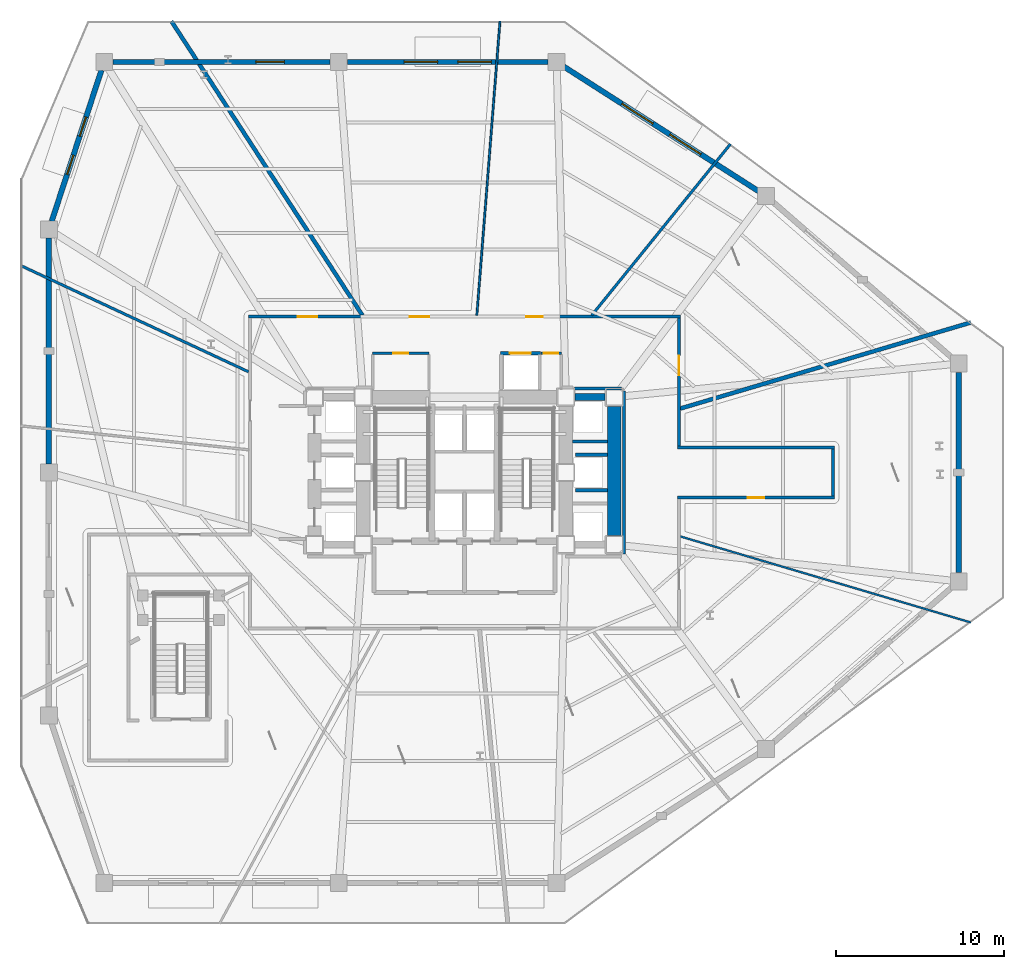
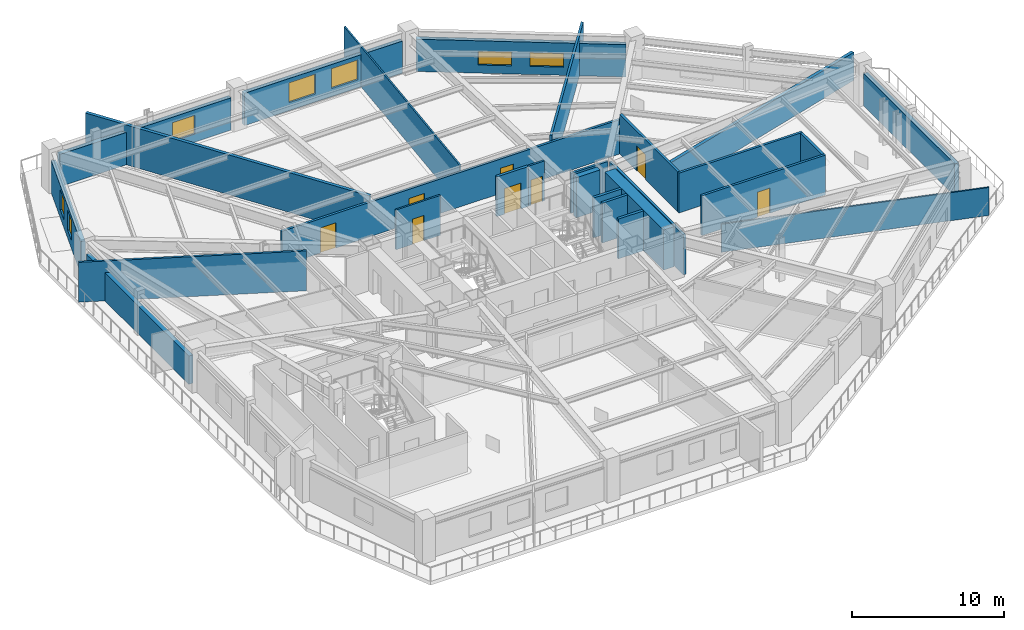
# One storey, part 5 of 10: 27 walls, 8 doors, 7 windows, 15 openings.
"""IFC4 building model written with IfcOpenShell, lengths in metres."""

from ifc_helpers import new_model, si_unit, direction, frame, frame_2d, origin, place, context, subcontext, project, spatial, rectangle, extrude, material, layer, layer_set, type_object, element, fill, save


model = new_model("IFC4")

# Units and contexts
model_context = context("Model", 3, precision=1e-05, world=origin(), true_north=direction((0.0, 1.0)))
body_context = subcontext(model_context, "Body", "Model", "MODEL_VIEW")
ifc_project = project(units=[si_unit("LENGTHUNIT", "METRE"), si_unit("AREAUNIT", "SQUARE_METRE"), si_unit("VOLUMEUNIT", "CUBIC_METRE"), si_unit("PLANEANGLEUNIT", "RADIAN"), si_unit("MASSUNIT", "GRAM", prefix="KILO")], contexts=[model_context])

# Site, building, storey
site_placement = place(None, origin())
site = spatial("IfcSite", under=ifc_project, at=site_placement, CompositionType="ELEMENT")
building_placement = place(site_placement, origin())
building = spatial("IfcBuilding", under=site, at=building_placement, Name="Rocaltana Carrier Exchange", CompositionType="ELEMENT")
storey_placement = place(building_placement, frame((0.0, 0.0, 4.800048828125)))
storey = spatial("IfcBuildingStorey", under=building, at=storey_placement, Name="L02", CompositionType="ELEMENT", Elevation=4.800048828125)

# Walls
ifc_material_1 = material(Name="Double Acoustic Gypsum Partition", Category="gypsum")
ifc_layer_1 = layer(ifc_material_1, 0.159912109375)
ifc_layer_set_1 = layer_set([ifc_layer_1], Name="Double Acoustic Gypsum Partition")
wall_type_1 = type_object("IfcWallType", Name="Acoustic Studio Partition 160 EI60", PredefinedType="PARTITIONING", material=ifc_layer_set_1)
wall_1_placement = place(storey_placement, frame((7.595703125, 9.3798828125, 0.0), z_axis=(0.0, 0.0, 1.0), x_axis=(0.62932258483, 0.777144184964, 0.0)))
element("IfcWall", 1, at=wall_1_placement, inside=storey, type_object=wall_type_1, Name="L02 Suite Divider Wall D9", PredefinedType="PARTITIONING", context=body_context, shape_type="SweptSolid", body=[
    extrude(rectangle(XDim=13.158203125, YDim=0.159912109375, at=frame_2d((6.5791015625, 0.0))), origin(), (0.0, 0.0, 1.0), 3.19287109375),
])
wall_2_placement = place(storey_placement, frame((-12.8798828125, 6.006103515625, 0.0), z_axis=(0.0, 0.0, 1.0), x_axis=(-0.906309362581, 0.422614882959, 0.0)))
element("IfcWall", 2, at=wall_2_placement, inside=storey, type_object=wall_type_1, Name="L02 Suite Divider Wall D12", PredefinedType="PARTITIONING", context=body_context, shape_type="SweptSolid", body=[
    extrude(rectangle(XDim=15.01708984375, YDim=0.159912109375, at=frame_2d((7.508544921875, 0.0))), origin(), (0.0, 0.0, 1.0), 3.19287109375),
])
ifc_material_2 = material(Name="Concrete C50/60", Category="concrete")
ifc_layer_2 = layer(ifc_material_2, 0.39990234375)
ifc_layer_set_2 = layer_set([ifc_layer_2], Name="Concrete C50/60")
wall_type_2 = type_object("IfcWallType", Name="Core Internal Shear Wall 400", PredefinedType="SHEAR", material=ifc_layer_set_2)
wall_3_placement = place(storey_placement, frame((6.60009765625, 4.5, 0.0), z_axis=(0.0, 0.0, 1.0), x_axis=(1.0, 0.0, 0.0)))
element("IfcWall", 3, at=wall_3_placement, inside=storey, type_object=wall_type_2, Name="L02 Core Shear Wall CW-EWN", PredefinedType="SHEAR", context=body_context, shape_type="SweptSolid", body=[
    extrude(rectangle(XDim=1.7998046875, YDim=0.39990234375, at=frame_2d((0.89990234375, 0.0))), origin(), (0.0, 0.0, 1.0), 3.218017578125),
])
ifc_material_3 = material(Name="Concrete C60/75", Category="concrete")
ifc_layer_3 = layer(ifc_material_3, 0.800048828125)
ifc_layer_set_3 = layer_set([ifc_layer_3], Name="Concrete C60/75")
wall_type_3 = type_object("IfcWallType", Name="Core Shear Wall 800", PredefinedType="SHEAR", material=ifc_layer_set_3)
wall_4_placement = place(storey_placement, frame((8.949951171875, -3.75, 0.0), z_axis=(0.0, 0.0, 1.0), x_axis=(0.0, 1.0, 0.0)))
element("IfcWall", 4, at=wall_4_placement, inside=storey, type_object=wall_type_3, Name="L02 Core Shear Wall CW-EW", PredefinedType="SHEAR", context=body_context, shape_type="SweptSolid", body=[
    extrude(rectangle(XDim=7.699951171875, YDim=0.800048828125, at=frame_2d((3.85009765625, 0.0))), origin(), (0.0, 0.0, 1.0), 3.218017578125),
])

# Wall, openings, doors
ifc_material_4 = material(Name="Gypsum & Steel Stud Partition", Category="steel")
ifc_layer_4 = layer(ifc_material_4, 0.179931640625)
ifc_layer_set_4 = layer_set([ifc_layer_4], Name="Gypsum & Steel Stud Partition")
wall_type_4 = type_object("IfcWallType", Name="Corridor Fire Partition 180 EI60", PredefinedType="PARTITIONING", material=ifc_layer_set_4)
wall_5_placement = place(storey_placement, frame((-12.889892578125, 9.300048828125, 0.0), z_axis=(0.0, 0.0, 1.0), x_axis=(1.0, 0.0, 0.0)))
wall_5 = element("IfcWall", 5, at=wall_5_placement, inside=storey, type_object=wall_type_4, Name="L02 Corridor Partition 8", PredefinedType="PARTITIONING", context=body_context, shape_type="SweptSolid", body=[
    extrude(rectangle(XDim=25.77978515625, YDim=0.179931640625, at=frame_2d((12.889892578125, 0.0))), origin(), (0.0, 0.0, 1.0), 2.760009765625),
])
opening_1_placement = place(wall_5_placement, frame((16.588134765625, 0.0, 0.0)))
opening_1 = element("IfcOpeningElement", 6, at=opening_1_placement, cuts=wall_5, Name="Opening D-RM098", PredefinedType="OPENING", context=body_context, shape_type="SweptSolid", body=[
    extrude(rectangle(XDim=0.9599609375, YDim=2.02001953125, at=frame_2d((0.47998046875, 1.010009765625))), frame((0.0, 0.099853515625, 0.0), z_axis=(0.0, -1.0, 0.0), x_axis=(1.0, 0.0, 0.0)), (0.0, 0.0, 1.0), 0.199951171875),
])
opening_2_placement = place(wall_5_placement, frame((9.618408203125, 0.0, 0.0)))
opening_2 = element("IfcOpeningElement", 7, at=opening_2_placement, cuts=wall_5, Name="Opening D-SU120", PredefinedType="OPENING", context=body_context, shape_type="SweptSolid", body=[
    extrude(rectangle(XDim=1.179931640625, YDim=2.02001953125, at=frame_2d((0.58984375, 1.010009765625))), frame((0.0, 0.099853515625, 0.0), z_axis=(0.0, -1.0, 0.0), x_axis=(1.0, 0.0, 0.0)), (0.0, 0.0, 1.0), 0.199951171875),
])
opening_3_placement = place(wall_5_placement, frame((2.931884765625, 0.0, 0.0)))
opening_3 = element("IfcOpeningElement", 8, at=opening_3_placement, cuts=wall_5, Name="Opening D-SU120", PredefinedType="OPENING", context=body_context, shape_type="SweptSolid", body=[
    extrude(rectangle(XDim=1.179931640625, YDim=2.02001953125, at=frame_2d((0.58984375, 1.010009765625))), frame((0.0, 0.099853515625, 0.0), z_axis=(0.0, -1.0, 0.0), x_axis=(1.0, 0.0, 0.0)), (0.0, 0.0, 1.0), 0.199951171875),
])
ifc_material_5 = material(Name="Engineered Hardwood Timber", Category="wood")
door_type_1 = type_object("IfcDoorType", Name="Suite Double Entrance Door 1180x2020", OperationType="NOTDEFINED", PredefinedType="DOOR", material=ifc_material_5)
door_1_placement = place(opening_2_placement, origin())
door_1 = element("IfcDoor", 9, at=door_1_placement, inside=storey, type_object=door_type_1, Name="L02 Carrier Peering Suite Entrance Door", OperationType="SINGLE_SWING_LEFT", OverallHeight=2.02001953125, OverallWidth=1.179931640625, PredefinedType="DOOR", context=body_context, shape_type="SweptSolid", body=[
    extrude(rectangle(XDim=1.179931640625, YDim=2.02001953125, at=frame_2d((0.58984375, 1.010009765625))), frame((0.0, 0.02490234375, 0.0), z_axis=(0.0, -1.0, 0.0), x_axis=(1.0, 0.0, 0.0)), (0.0, 0.0, 1.0), 0.050048828125),
])
fill(opening_2, door_1)
door_2_placement = place(opening_3_placement, origin())
door_2 = element("IfcDoor", 10, at=door_2_placement, inside=storey, type_object=door_type_1, Name="L02 Carrier Peering Suite Entrance Door", OperationType="SINGLE_SWING_RIGHT", OverallHeight=2.02001953125, OverallWidth=1.179931640625, PredefinedType="DOOR", context=body_context, shape_type="SweptSolid", body=[
    extrude(rectangle(XDim=1.179931640625, YDim=2.02001953125, at=frame_2d((0.58984375, 1.010009765625))), frame((0.0, 0.02490234375, 0.0), z_axis=(0.0, -1.0, 0.0), x_axis=(1.0, 0.0, 0.0)), (0.0, 0.0, 1.0), 0.050048828125),
])
fill(opening_3, door_2)
ifc_material_6 = material(Name="Engineered Hardwood Timber", Category="wood")
door_type_2 = type_object("IfcDoorType", Name="Workspace Single Door 960x2020", OperationType="NOTDEFINED", PredefinedType="DOOR", material=ifc_material_6)
door_3_placement = place(opening_1_placement, origin())
door_3 = element("IfcDoor", 11, at=door_3_placement, inside=storey, type_object=door_type_2, Name="L02 Quiet Focus Lounge Entrance Door", OperationType="SINGLE_SWING_RIGHT", OverallHeight=2.02001953125, OverallWidth=0.9599609375, PredefinedType="DOOR", context=body_context, shape_type="SweptSolid", body=[
    extrude(rectangle(XDim=0.9599609375, YDim=2.02001953125, at=frame_2d((0.47998046875, 1.010009765625))), frame((0.0, 0.02490234375, 0.0), z_axis=(0.0, -1.0, 0.0), x_axis=(1.0, 0.0, 0.0)), (0.0, 0.0, 1.0), 0.050048828125),
])
fill(opening_1, door_3)

# Wall, opening, door
wall_6_placement = place(storey_placement, frame((12.800048828125, 9.2099609375, 0.0), z_axis=(0.0, 0.0, 1.0), x_axis=(0.0, -1.0, 0.0)))
wall_6 = element("IfcWall", 12, at=wall_6_placement, inside=storey, type_object=wall_type_4, Name="L02 Corridor Partition 9", PredefinedType="PARTITIONING", context=body_context, shape_type="SweptSolid", body=[
    extrude(rectangle(XDim=7.619873046875, YDim=0.179931640625, at=frame_2d((3.81005859375, 0.0))), origin(), (0.0, 0.0, 1.0), 3.19287109375),
])
opening_4_placement = place(wall_6_placement, frame((2.23583984375, 0.0, 0.0)))
opening_4 = element("IfcOpeningElement", 13, at=opening_4_placement, cuts=wall_6, Name="Opening D-SU120", PredefinedType="OPENING", context=body_context, shape_type="SweptSolid", body=[
    extrude(rectangle(XDim=1.179931640625, YDim=2.02001953125, at=frame_2d((0.58984375, 1.010009765625))), frame((0.0, 0.099853515625, 0.0), z_axis=(0.0, -1.0, 0.0), x_axis=(1.0, 0.0, 0.0)), (0.0, 0.0, 1.0), 0.199951171875),
])
door_4_placement = place(opening_4_placement, origin())
door_4 = element("IfcDoor", 14, at=door_4_placement, inside=storey, type_object=door_type_1, Name="L02 Carrier Peering Suite Entrance Door", OperationType="SINGLE_SWING_LEFT", OverallHeight=2.02001953125, OverallWidth=1.179931640625, PredefinedType="DOOR", context=body_context, shape_type="SweptSolid", body=[
    extrude(rectangle(XDim=1.179931640625, YDim=2.02001953125, at=frame_2d((0.58984375, 1.010009765625))), frame((0.0, 0.02490234375, 0.0), z_axis=(0.0, -1.0, 0.0), x_axis=(1.0, 0.0, 0.0)), (0.0, 0.0, 1.0), 0.050048828125),
])
fill(opening_4, door_4)

# Walls
wall_7_placement = place(storey_placement, frame((12.7099609375, 1.5, 0.0), z_axis=(0.0, 0.0, 1.0), x_axis=(1.0, 0.0, 0.0)))
element("IfcWall", 15, at=wall_7_placement, inside=storey, type_object=wall_type_4, Name="L02 Corridor Partition 10", PredefinedType="PARTITIONING", context=body_context, shape_type="SweptSolid", body=[
    extrude(rectangle(XDim=9.380126953125, YDim=0.179931640625, at=frame_2d((4.68994140625, 0.0))), origin(), (0.0, 0.0, 1.0), 3.19287109375),
])
wall_8_placement = place(storey_placement, frame((22.0, 1.409912109375, 0.0), z_axis=(0.0, 0.0, 1.0), x_axis=(0.0, -1.0, 0.0)))
element("IfcWall", 16, at=wall_8_placement, inside=storey, type_object=wall_type_4, Name="L02 Corridor Partition 11", PredefinedType="PARTITIONING", context=body_context, shape_type="SweptSolid", body=[
    extrude(rectangle(XDim=2.81982421875, YDim=0.179931640625, at=frame_2d((1.409912109375, 0.0))), origin(), (0.0, 0.0, 1.0), 3.19287109375),
])

# Wall, opening, door
wall_9_placement = place(storey_placement, frame((22.090087890625, -1.5, 0.0), z_axis=(0.0, 0.0, 1.0), x_axis=(-1.0, 0.0, 0.0)))
wall_9 = element("IfcWall", 17, at=wall_9_placement, inside=storey, type_object=wall_type_4, Name="L02 Corridor Partition 12", PredefinedType="PARTITIONING", context=body_context, shape_type="SweptSolid", body=[
    extrude(rectangle(XDim=9.380126953125, YDim=0.179931640625, at=frame_2d((4.68994140625, 0.0))), origin(), (0.0, 0.0, 1.0), 3.19287109375),
])
opening_5_placement = place(wall_9_placement, frame((4.2099609375, 0.0, 0.0)))
opening_5 = element("IfcOpeningElement", 18, at=opening_5_placement, cuts=wall_9, Name="Opening D-RM098", PredefinedType="OPENING", context=body_context, shape_type="SweptSolid", body=[
    extrude(rectangle(XDim=0.9599609375, YDim=2.02001953125, at=frame_2d((0.47998046875, 1.010009765625))), frame((0.0, 0.099853515625, 0.0), z_axis=(0.0, -1.0, 0.0), x_axis=(1.0, 0.0, 0.0)), (0.0, 0.0, 1.0), 0.199951171875),
])
door_5_placement = place(opening_5_placement, origin())
door_5 = element("IfcDoor", 19, at=door_5_placement, inside=storey, type_object=door_type_2, Name="L02 Peering Conference Room Entrance Door", OperationType="SINGLE_SWING_RIGHT", OverallHeight=2.02001953125, OverallWidth=0.9599609375, PredefinedType="DOOR", context=body_context, shape_type="SweptSolid", body=[
    extrude(rectangle(XDim=0.9599609375, YDim=2.02001953125, at=frame_2d((0.47998046875, 1.010009765625))), frame((0.0, 0.02490234375, 0.0), z_axis=(0.0, -1.0, 0.0), x_axis=(1.0, 0.0, 0.0)), (0.0, 0.0, 1.0), 0.050048828125),
])
fill(opening_5, door_5)

# Walls
wall_10_placement = place(storey_placement, frame((9.510009765625, -4.8701171875, 0.0), z_axis=(0.0, 0.0, 1.0), x_axis=(0.0, 1.0, 0.0)))
element("IfcWall", 20, at=wall_10_placement, inside=storey, type_object=wall_type_4, Name="L02 Corridor Partition 27", PredefinedType="PARTITIONING", context=body_context, shape_type="SweptSolid", body=[
    extrude(rectangle(XDim=9.740234375, YDim=0.179931640625, at=frame_2d((4.8701171875, 0.0))), origin(), (0.0, 0.0, 1.0), 3.19287109375),
])
wall_11_placement = place(storey_placement, frame((9.3701171875, 5.010009765625, 0.0), z_axis=(0.0, 0.0, 1.0), x_axis=(-1.0, 0.0, 0.0)))
element("IfcWall", 21, at=wall_11_placement, inside=storey, type_object=wall_type_4, Name="L02 Corridor Partition 28", PredefinedType="PARTITIONING", context=body_context, shape_type="SweptSolid", body=[
    extrude(rectangle(XDim=2.807861328125, YDim=0.179931640625, at=frame_2d((1.40380859375, 0.0))), origin(), (0.0, 0.0, 1.0), 3.19287109375),
])
ifc_material_7 = material(Name="Aluminium 6063-T6 & Acoustic Glass", Category="aluminium")
ifc_layer_5 = layer(ifc_material_7, 0.114990234375)
ifc_layer_set_5 = layer_set([ifc_layer_5], Name="Aluminium 6063-T6 & Acoustic Glass")
wall_type_5 = type_object("IfcWallType", Name="Demountable Glazed Lab Partition 115", PredefinedType="MOVABLE", material=ifc_layer_set_5)
wall_12_placement = place(storey_placement, frame((12.8798828125, -3.815185546875, 0.0), z_axis=(0.0, 0.0, 1.0), x_axis=(0.958821118113, -0.284010674906, 0.0)))
element("IfcWall", 22, at=wall_12_placement, inside=storey, type_object=wall_type_5, Name="L02 Suite Divider Wall D7", PredefinedType="MOVABLE", context=body_context, shape_type="SweptSolid", body=[
    extrude(rectangle(XDim=18.090576171875, YDim=0.114990234375, at=frame_2d((9.04541015625, 0.0))), origin(), (0.0, 0.0, 1.0), 2.245849609375),
])
wall_13_placement = place(storey_placement, frame((0.73828125, 9.3798828125, 0.0), z_axis=(0.0, 0.0, 1.0), x_axis=(0.078449467475, 0.996918091446, 0.0)))
element("IfcWall", 23, at=wall_13_placement, inside=storey, type_object=wall_type_5, Name="L02 Suite Divider Wall D10", PredefinedType="MOVABLE", context=body_context, shape_type="SweptSolid", body=[
    extrude(rectangle(XDim=17.6142578125, YDim=0.114990234375, at=frame_2d((8.80712890625, 0.0))), origin(), (0.0, 0.0, 1.0), 3.19287109375),
])
ifc_material_8 = material(Name="Acoustic Calcium Silicate Partition", Category="gypsum")
ifc_layer_6 = layer(ifc_material_8, 0.239990234375)
ifc_layer_set_6 = layer_set([ifc_layer_6], Name="Acoustic Calcium Silicate Partition")
wall_type_6 = type_object("IfcWallType", Name="Heavy Lab Partition 240 EI90", PredefinedType="PARTITIONING", material=ifc_layer_set_6)
wall_14_placement = place(storey_placement, frame((12.8798828125, 3.815185546875, 0.0), z_axis=(0.0, 0.0, 1.0), x_axis=(0.958821118113, 0.284010674906, 0.0)))
element("IfcWall", 24, at=wall_14_placement, inside=storey, type_object=wall_type_6, Name="L02 Suite Divider Wall D8", PredefinedType="PARTITIONING", context=body_context, shape_type="SweptSolid", body=[
    extrude(rectangle(XDim=18.090576171875, YDim=0.239990234375, at=frame_2d((9.04541015625, 0.0))), origin(), (0.0, 0.0, 1.0), 2.245849609375),
])
wall_15_placement = place(storey_placement, frame((-6.09130859375, 9.3798828125, 0.0), z_axis=(0.0, 0.0, 1.0), x_axis=(-0.544644853477, 0.838666789364, 0.0)))
element("IfcWall", 25, at=wall_15_placement, inside=storey, type_object=wall_type_6, Name="L02 Suite Divider Wall D11", PredefinedType="PARTITIONING", context=body_context, shape_type="SweptSolid", body=[
    extrude(rectangle(XDim=20.93798828125, YDim=0.239990234375, at=frame_2d((10.468994140625, 0.0))), origin(), (0.0, 0.0, 1.0), 3.19287109375),
])

# Wall, opening, door
ifc_material_9 = material(Name="Reinforced Concrete Block C35/45", Category="concrete")
ifc_layer_7 = layer(ifc_material_9, 0.199951171875)
ifc_layer_set_7 = layer_set([ifc_layer_7], Name="Reinforced Concrete Block C35/45")
wall_type_7 = type_object("IfcWallType", Name="Lift Hoistway Enclosure Wall 200 EI120", PredefinedType="PARTITIONING", material=ifc_layer_set_7)
wall_16_placement = place(storey_placement, frame((2.14990234375, 7.1201171875, 0.0), z_axis=(0.0, 0.0, 1.0), x_axis=(1.0, 0.0, 0.0)))
wall_16 = element("IfcWall", 26, at=wall_16_placement, inside=storey, type_object=wall_type_7, Name="L02 Goods Lift Front Wall", PredefinedType="PARTITIONING", context=body_context, shape_type="SweptSolid", body=[
    extrude(rectangle(XDim=2.380126953125, YDim=0.199951171875, at=frame_2d((1.18994140625, 0.0))), origin(), (0.0, 0.0, 1.0), 3.19287109375),
])
opening_6_placement = place(wall_16_placement, frame((0.56005859375, 0.0, 0.0)))
opening_6 = element("IfcOpeningElement", 27, at=opening_6_placement, cuts=wall_16, Name="Opening LD-130", PredefinedType="OPENING", context=body_context, shape_type="SweptSolid", body=[
    extrude(rectangle(XDim=1.260009765625, YDim=2.06005859375, at=frame_2d((0.6298828125, 1.030029296875))), frame((0.0, 0.10986328125, 0.0), z_axis=(0.0, -1.0, 0.0), x_axis=(1.0, 0.0, 0.0)), (0.0, 0.0, 1.0), 0.219970703125),
])
ifc_material_10 = material(Name="Brushed Stainless Sliding Door Leaf", Category="steel")
door_type_3 = type_object("IfcDoorType", Name="Goods Lift Landing Sliding Door 1260x2060", OperationType="NOTDEFINED", PredefinedType="DOOR", material=ifc_material_10)
door_6_placement = place(opening_6_placement, origin())
door_6 = element("IfcDoor", 28, at=door_6_placement, inside=storey, type_object=door_type_3, Name="L02 Goods Lift GL-1 Landing Door", OperationType="SLIDING_TO_LEFT", OverallHeight=2.06005859375, OverallWidth=1.260009765625, PredefinedType="DOOR", context=body_context, shape_type="SweptSolid", body=[
    extrude(rectangle(XDim=1.260009765625, YDim=2.06005859375, at=frame_2d((0.6298828125, 1.030029296875))), frame((0.0, 0.02490234375, 0.0), z_axis=(0.0, -1.0, 0.0), x_axis=(1.0, 0.0, 0.0)), (0.0, 0.0, 1.0), 0.050048828125),
])
fill(opening_6, door_6)

# Walls
wall_17_placement = place(storey_placement, frame((6.449951171875, 1.85009765625, 0.0), z_axis=(0.0, 0.0, 1.0), x_axis=(1.0, 0.0, 0.0)))
element("IfcWall", 29, at=wall_17_placement, inside=storey, type_object=wall_type_7, Name="L02 Mid-Rise Shaft Divider 2", PredefinedType="PARTITIONING", context=body_context, shape_type="SweptSolid", body=[
    extrude(rectangle(XDim=2.10009765625, YDim=0.199951171875, at=frame_2d((1.050048828125, 0.0))), origin(), (0.0, 0.0, 1.0), 3.19287109375),
])
for number, where, z_axis, x_axis, name in (
    (30, (6.639892578125, -1.050048828125, 0.0), (0.0, 0.0, 1.0), (1.0, 0.0, 0.0), "L02 Mid-Rise Center Shaft Wall South"),
    (31, (6.639892578125, 1.050048828125, 0.0), (0.0, 0.0, 1.0), (1.0, 0.0, 0.0), "L02 Mid-Rise Center Shaft Wall North"),
):
    element("IfcWall", number, at=place(storey_placement, frame(where, z_axis=z_axis, x_axis=x_axis)), inside=storey, type_object=wall_type_7, Name=name, PredefinedType="PARTITIONING", context=body_context, shape_type="SweptSolid", body=[
        extrude(rectangle(XDim=1.91015625, YDim=0.199951171875, at=frame_2d((0.955078125, 0.0))), origin(), (0.0, 0.0, 1.0), 3.19287109375),
    ])
ifc_material_11 = material(Name="Precast sandstone concrete C45/55", Category="masonry")
ifc_layer_8 = layer(ifc_material_11, 0.320068359375)
ifc_layer_set_8 = layer_set([ifc_layer_8], Name="Precast sandstone concrete C45/55")
wall_type_8 = type_object("IfcWallType", Name="Precast Sandstone Facade Wall 320", PredefinedType="SOLIDWALL", material=ifc_layer_set_8)
wall_18_placement = place(storey_placement, frame((29.5, 5.97998046875, 0.0), z_axis=(0.0, 0.0, 1.0), x_axis=(0.0, -1.0, 0.0)))
element("IfcWall", 32, at=wall_18_placement, inside=storey, type_object=wall_type_8, Name="L02 Sandstone Facade Wall B05", PredefinedType="SOLIDWALL", context=body_context, shape_type="SweptSolid", body=[
    extrude(rectangle(XDim=11.9599609375, YDim=0.320068359375, at=frame_2d((5.97998046875, 0.0))), origin(), (0.0, 0.0, 1.0), 2.587890625),
])

# Wall, openings, windows
wall_19_placement = place(storey_placement, frame((5.93798828125, 24.2197265625, 0.0), z_axis=(0.0, 0.0, 1.0), x_axis=(0.842268830443, -0.539057712368, 0.0)))
wall_19 = element("IfcWall", 33, at=wall_19_placement, inside=storey, type_object=wall_type_8, Name="L02 Sandstone Facade Wall B07", PredefinedType="SOLIDWALL", context=body_context, shape_type="SweptSolid", body=[
    extrude(rectangle(XDim=13.80078125, YDim=0.320068359375, at=frame_2d((6.900390625, 0.0))), origin(), (0.0, 0.0, 1.0), 2.587890625),
])
opening_7_placement = place(wall_19_placement, frame((4.100341796875, 0.0, 0.64990234375)))
opening_7 = element("IfcOpeningElement", 34, at=opening_7_placement, cuts=wall_19, Name="Opening W-04", PredefinedType="OPENING", context=body_context, shape_type="SweptSolid", body=[
    extrude(rectangle(XDim=2.199951171875, YDim=1.10009765625, at=frame_2d((1.10009765625, 0.550048828125))), frame((0.0, 0.169921875, 0.0), z_axis=(0.0, -1.0, 0.0), x_axis=(1.0, 0.0, 0.0)), (0.0, 0.0, 1.0), 0.340087890625),
])
opening_8_placement = place(wall_19_placement, frame((7.50048828125, 0.0, 0.64990234375)))
opening_8 = element("IfcOpeningElement", 35, at=opening_8_placement, cuts=wall_19, Name="Opening W-04", PredefinedType="OPENING", context=body_context, shape_type="SweptSolid", body=[
    extrude(rectangle(XDim=2.199951171875, YDim=1.10009765625, at=frame_2d((1.10009765625, 0.550048828125))), frame((0.0, 0.169921875, 0.0), z_axis=(0.0, -1.0, 0.0), x_axis=(1.0, 0.0, 0.0)), (0.0, 0.0, 1.0), 0.340087890625),
])
ifc_material_12 = material(Name="Aluminium 6063-T6 & Double Glazing", Category="aluminium")
window_type_1 = type_object("IfcWindowType", Name="Podium Clerestory Window 2200x1100", PartitioningType="SINGLE_PANEL", PredefinedType="WINDOW", material=ifc_material_12)
window_1_placement = place(opening_7_placement, origin())
window_1 = element("IfcWindow", 36, at=window_1_placement, inside=storey, type_object=window_type_1, Name="L02 Punched Window B07-1", OverallHeight=1.10009765625, OverallWidth=2.199951171875, PartitioningType="SINGLE_PANEL", PredefinedType="WINDOW", context=body_context, shape_type="SweptSolid", body=[
    extrude(rectangle(XDim=2.199951171875, YDim=1.10009765625, at=frame_2d((1.10009765625, 0.550048828125))), frame((0.0, 0.030029296875, 0.0), z_axis=(0.0, -1.0, 0.0), x_axis=(1.0, 0.0, 0.0)), (0.0, 0.0, 1.0), 0.06005859375),
])
fill(opening_7, window_1)
window_2_placement = place(opening_8_placement, origin())
window_2 = element("IfcWindow", 37, at=window_2_placement, inside=storey, type_object=window_type_1, Name="L02 Punched Window B07-2", OverallHeight=1.10009765625, OverallWidth=2.199951171875, PartitioningType="SINGLE_PANEL", PredefinedType="WINDOW", context=body_context, shape_type="SweptSolid", body=[
    extrude(rectangle(XDim=2.199951171875, YDim=1.10009765625, at=frame_2d((1.10009765625, 0.550048828125))), frame((0.0, 0.030029296875, 0.0), z_axis=(0.0, -1.0, 0.0), x_axis=(1.0, 0.0, 0.0)), (0.0, 0.0, 1.0), 0.06005859375),
])
fill(opening_8, window_2)

wall_20_placement = place(storey_placement, frame((-6.97998046875, 24.5, 0.0), z_axis=(0.0, 0.0, 1.0), x_axis=(1.0, 0.0, 0.0)))
wall_20 = element("IfcWall", 38, at=wall_20_placement, inside=storey, type_object=wall_type_8, Name="L02 Sandstone Facade Wall B08", PredefinedType="SOLIDWALL", context=body_context, shape_type="SweptSolid", body=[
    extrude(rectangle(XDim=11.9599609375, YDim=0.320068359375, at=frame_2d((5.97998046875, 0.0))), origin(), (0.0, 0.0, 1.0), 2.587890625),
])
opening_9_placement = place(wall_20_placement, frame((3.3798828125, 0.0, 0.64990234375)))
opening_9 = element("IfcOpeningElement", 39, at=opening_9_placement, cuts=wall_20, Name="Opening W-01", PredefinedType="OPENING", context=body_context, shape_type="SweptSolid", body=[
    extrude(rectangle(XDim=2.0, YDim=1.60009765625, at=frame_2d((1.0, 0.800048828125))), frame((0.0, 0.169921875, 0.0), z_axis=(0.0, -1.0, 0.0), x_axis=(1.0, 0.0, 0.0)), (0.0, 0.0, 1.0), 0.340087890625),
])
opening_10_placement = place(wall_20_placement, frame((6.580078125, 0.0, 0.64990234375)))
opening_10 = element("IfcOpeningElement", 40, at=opening_10_placement, cuts=wall_20, Name="Opening W-01", PredefinedType="OPENING", context=body_context, shape_type="SweptSolid", body=[
    extrude(rectangle(XDim=2.0, YDim=1.60009765625, at=frame_2d((1.0, 0.800048828125))), frame((0.0, 0.169921875, 0.0), z_axis=(0.0, -1.0, 0.0), x_axis=(1.0, 0.0, 0.0)), (0.0, 0.0, 1.0), 0.340087890625),
])
ifc_material_13 = material(Name="Aluminium 6063-T6 & Double Glazing", Category="aluminium")
window_type_2 = type_object("IfcWindowType", Name="Concourse Gallery Window 2000x1600", PartitioningType="SINGLE_PANEL", PredefinedType="WINDOW", material=ifc_material_13)
window_3_placement = place(opening_9_placement, origin())
window_3 = element("IfcWindow", 41, at=window_3_placement, inside=storey, type_object=window_type_2, Name="L02 Punched Window B08-1", OverallHeight=1.60009765625, OverallWidth=2.0, PartitioningType="SINGLE_PANEL", PredefinedType="WINDOW", context=body_context, shape_type="SweptSolid", body=[
    extrude(rectangle(XDim=2.0, YDim=1.60009765625, at=frame_2d((1.0, 0.800048828125))), frame((0.0, 0.030029296875, 0.0), z_axis=(0.0, -1.0, 0.0), x_axis=(1.0, 0.0, 0.0)), (0.0, 0.0, 1.0), 0.06005859375),
])
fill(opening_9, window_3)
window_4_placement = place(opening_10_placement, origin())
window_4 = element("IfcWindow", 42, at=window_4_placement, inside=storey, type_object=window_type_2, Name="L02 Punched Window B08-2", OverallHeight=1.60009765625, OverallWidth=2.0, PartitioningType="SINGLE_PANEL", PredefinedType="WINDOW", context=body_context, shape_type="SweptSolid", body=[
    extrude(rectangle(XDim=2.0, YDim=1.60009765625, at=frame_2d((1.0, 0.800048828125))), frame((0.0, 0.030029296875, 0.0), z_axis=(0.0, -1.0, 0.0), x_axis=(1.0, 0.0, 0.0)), (0.0, 0.0, 1.0), 0.06005859375),
])
fill(opening_10, window_4)

# Wall, opening, window
wall_21_placement = place(storey_placement, frame((-20.97998046875, 24.5, 0.0), z_axis=(0.0, 0.0, 1.0), x_axis=(1.0, 0.0, 0.0)))
wall_21 = element("IfcWall", 43, at=wall_21_placement, inside=storey, type_object=wall_type_8, Name="L02 Sandstone Facade Wall B09", PredefinedType="SOLIDWALL", context=body_context, shape_type="SweptSolid", body=[
    extrude(rectangle(XDim=12.9599609375, YDim=0.320068359375, at=frame_2d((6.47998046875, 0.0))), origin(), (0.0, 0.0, 1.0), 2.587890625),
])
opening_11_placement = place(wall_21_placement, frame((8.530029296875, 0.0, 0.64990234375)))
opening_11 = element("IfcOpeningElement", 44, at=opening_11_placement, cuts=wall_21, Name="Opening W-02", PredefinedType="OPENING", context=body_context, shape_type="SweptSolid", body=[
    extrude(rectangle(XDim=1.699951171875, YDim=1.5, at=frame_2d((0.85009765625, 0.75))), frame((0.0, 0.169921875, 0.0), z_axis=(0.0, -1.0, 0.0), x_axis=(1.0, 0.0, 0.0)), (0.0, 0.0, 1.0), 0.340087890625),
])
ifc_material_14 = material(Name="Aluminium 6063-T6 & Double Glazing", Category="aluminium")
window_type_3 = type_object("IfcWindowType", Name="Podium Technical Window 1700x1500", PartitioningType="SINGLE_PANEL", PredefinedType="WINDOW", material=ifc_material_14)
window_5_placement = place(opening_11_placement, origin())
window_5 = element("IfcWindow", 45, at=window_5_placement, inside=storey, type_object=window_type_3, Name="L02 Punched Window B09-3", OverallHeight=1.5, OverallWidth=1.699951171875, PartitioningType="SINGLE_PANEL", PredefinedType="WINDOW", context=body_context, shape_type="SweptSolid", body=[
    extrude(rectangle(XDim=1.699951171875, YDim=1.5, at=frame_2d((0.85009765625, 0.75))), frame((0.0, 0.030029296875, 0.0), z_axis=(0.0, -1.0, 0.0), x_axis=(1.0, 0.0, 0.0)), (0.0, 0.0, 1.0), 0.06005859375),
])
fill(opening_11, window_5)

# Wall, openings, windows
wall_22_placement = place(storey_placement, frame((-24.636962890625, 14.993896484375, 0.0), z_axis=(0.0, 0.0, 1.0), x_axis=(0.313363070681, 0.949633395544, 0.0)))
wall_22 = element("IfcWall", 46, at=wall_22_placement, inside=storey, type_object=wall_type_8, Name="L02 Sandstone Facade Wall B10", PredefinedType="SOLIDWALL", context=body_context, shape_type="SweptSolid", body=[
    extrude(rectangle(XDim=9.490234375, YDim=0.320068359375, at=frame_2d((4.7451171875, 0.0))), origin(), (0.0, 0.0, 1.0), 2.587890625),
])
opening_12_placement = place(wall_22_placement, frame((2.9453125, 0.0, 0.64990234375)))
opening_12 = element("IfcOpeningElement", 47, at=opening_12_placement, cuts=wall_22, Name="Opening W-03", PredefinedType="OPENING", context=body_context, shape_type="SweptSolid", body=[
    extrude(rectangle(XDim=1.199951171875, YDim=1.60009765625, at=frame_2d((0.60009765625, 0.800048828125))), frame((0.0, 0.169921875, 0.0), z_axis=(0.0, -1.0, 0.0), x_axis=(1.0, 0.0, 0.0)), (0.0, 0.0, 1.0), 0.340087890625),
])
opening_13_placement = place(wall_22_placement, frame((5.34521484375, 0.0, 0.64990234375)))
opening_13 = element("IfcOpeningElement", 48, at=opening_13_placement, cuts=wall_22, Name="Opening W-03", PredefinedType="OPENING", context=body_context, shape_type="SweptSolid", body=[
    extrude(rectangle(XDim=1.199951171875, YDim=1.60009765625, at=frame_2d((0.60009765625, 0.800048828125))), frame((0.0, 0.169921875, 0.0), z_axis=(0.0, -1.0, 0.0), x_axis=(1.0, 0.0, 0.0)), (0.0, 0.0, 1.0), 0.340087890625),
])
ifc_material_15 = material(Name="Aluminium 6063-T6 & Double Glazing", Category="aluminium")
window_type_4 = type_object("IfcWindowType", Name="Podium Narrow Slot Window 1200x1600", PartitioningType="SINGLE_PANEL", PredefinedType="WINDOW", material=ifc_material_15)
window_6_placement = place(opening_12_placement, origin())
window_6 = element("IfcWindow", 49, at=window_6_placement, inside=storey, type_object=window_type_4, Name="L02 Punched Window B10-1", OverallHeight=1.60009765625, OverallWidth=1.199951171875, PartitioningType="SINGLE_PANEL", PredefinedType="WINDOW", context=body_context, shape_type="SweptSolid", body=[
    extrude(rectangle(XDim=1.199951171875, YDim=1.60009765625, at=frame_2d((0.60009765625, 0.800048828125))), frame((0.0, 0.030029296875, 0.0), z_axis=(0.0, -1.0, 0.0), x_axis=(1.0, 0.0, 0.0)), (0.0, 0.0, 1.0), 0.06005859375),
])
fill(opening_12, window_6)
window_7_placement = place(opening_13_placement, origin())
window_7 = element("IfcWindow", 50, at=window_7_placement, inside=storey, type_object=window_type_4, Name="L02 Punched Window B10-2", OverallHeight=1.60009765625, OverallWidth=1.199951171875, PartitioningType="SINGLE_PANEL", PredefinedType="WINDOW", context=body_context, shape_type="SweptSolid", body=[
    extrude(rectangle(XDim=1.199951171875, YDim=1.60009765625, at=frame_2d((0.60009765625, 0.800048828125))), frame((0.0, 0.030029296875, 0.0), z_axis=(0.0, -1.0, 0.0), x_axis=(1.0, 0.0, 0.0)), (0.0, 0.0, 1.0), 0.06005859375),
])
fill(opening_13, window_7)

# Wall
wall_23_placement = place(storey_placement, frame((-24.800048828125, 0.52001953125, 0.0), z_axis=(0.0, 0.0, 1.0), x_axis=(0.0, 1.0, 0.0)))
element("IfcWall", 51, at=wall_23_placement, inside=storey, type_object=wall_type_8, Name="L02 Sandstone Facade Wall B11", PredefinedType="SOLIDWALL", context=body_context, shape_type="SweptSolid", body=[
    extrude(rectangle(XDim=13.4599609375, YDim=0.320068359375, at=frame_2d((6.72998046875, 0.0))), origin(), (0.0, 0.0, 1.0), 2.260986328125),
])

# Wall, opening, door
ifc_material_16 = material(Name="Moisture-Resistant Masonry C30/37", Category="masonry")
ifc_layer_9 = layer(ifc_material_16, 0.139892578125)
ifc_layer_set_9 = layer_set([ifc_layer_9], Name="Moisture-Resistant Masonry C30/37")
wall_type_9 = type_object("IfcWallType", Name="Wet-Area Sanitary Partition 140", PredefinedType="PARTITIONING", material=ifc_layer_set_9)
wall_24_placement = place(storey_placement, frame((-5.47998046875, 7.1201171875, 0.0), z_axis=(0.0, 0.0, 1.0), x_axis=(1.0, 0.0, 0.0)))
wall_24 = element("IfcWall", 52, at=wall_24_placement, inside=storey, type_object=wall_type_9, Name="L02 Sanitary North Wall", PredefinedType="PARTITIONING", context=body_context, shape_type="SweptSolid", body=[
    extrude(rectangle(XDim=3.35986328125, YDim=0.139892578125, at=frame_2d((1.679931640625, 0.0))), origin(), (0.0, 0.0, 1.0), 3.19287109375),
])
opening_14_placement = place(wall_24_placement, frame((1.239990234375, 0.0, 0.0)))
opening_14 = element("IfcOpeningElement", 53, at=opening_14_placement, cuts=wall_24, Name="Opening D-WC090", PredefinedType="OPENING", context=body_context, shape_type="SweptSolid", body=[
    extrude(rectangle(XDim=0.8798828125, YDim=2.02001953125, at=frame_2d((0.43994140625, 1.010009765625))), frame((0.0, 0.079833984375, 0.0), z_axis=(0.0, -1.0, 0.0), x_axis=(1.0, 0.0, 0.0)), (0.0, 0.0, 1.0), 0.159912109375),
])
ifc_material_17 = material(Name="High-Pressure Laminate Timber", Category="wood")
door_type_4 = type_object("IfcDoorType", Name="Restroom & Accessible WC Door 880x2020", OperationType="NOTDEFINED", PredefinedType="DOOR", material=ifc_material_17)
door_7_placement = place(opening_14_placement, origin())
door_7 = element("IfcDoor", 54, at=door_7_placement, inside=storey, type_object=door_type_4, Name="L02 Accessible Toilet Door", OperationType="SINGLE_SWING_RIGHT", OverallHeight=2.02001953125, OverallWidth=0.8798828125, PredefinedType="DOOR", context=body_context, shape_type="SweptSolid", body=[
    extrude(rectangle(XDim=0.8798828125, YDim=2.02001953125, at=frame_2d((0.43994140625, 1.010009765625))), frame((0.0, 0.02490234375, 0.0), z_axis=(0.0, -1.0, 0.0), x_axis=(1.0, 0.0, 0.0)), (0.0, 0.0, 1.0), 0.050048828125),
])
fill(opening_14, door_7)

wall_25_placement = place(storey_placement, frame((4.56005859375, 7.1201171875, 0.0), z_axis=(0.0, 0.0, 1.0), x_axis=(1.0, 0.0, 0.0)))
wall_25 = element("IfcWall", 55, at=wall_25_placement, inside=storey, type_object=wall_type_9, Name="L02 Restroom North Wall", PredefinedType="PARTITIONING", context=body_context, shape_type="SweptSolid", body=[
    extrude(rectangle(XDim=1.219970703125, YDim=0.139892578125, at=frame_2d((0.60986328125, 0.0))), origin(), (0.0, 0.0, 1.0), 3.19287109375),
])
opening_15_placement = place(wall_25_placement, frame((0.169921875, 0.0, 0.0)))
opening_15 = element("IfcOpeningElement", 56, at=opening_15_placement, cuts=wall_25, Name="Opening D-WC090", PredefinedType="OPENING", context=body_context, shape_type="SweptSolid", body=[
    extrude(rectangle(XDim=0.8798828125, YDim=2.02001953125, at=frame_2d((0.43994140625, 1.010009765625))), frame((0.0, 0.079833984375, 0.0), z_axis=(0.0, -1.0, 0.0), x_axis=(1.0, 0.0, 0.0)), (0.0, 0.0, 1.0), 0.159912109375),
])
door_8_placement = place(opening_15_placement, origin())
door_8 = element("IfcDoor", 57, at=door_8_placement, inside=storey, type_object=door_type_4, Name="L02 Staff Restroom Door", OperationType="SINGLE_SWING_LEFT", OverallHeight=2.02001953125, OverallWidth=0.8798828125, PredefinedType="DOOR", context=body_context, shape_type="SweptSolid", body=[
    extrude(rectangle(XDim=0.8798828125, YDim=2.02001953125, at=frame_2d((0.43994140625, 1.010009765625))), frame((0.0, 0.02490234375, 0.0), z_axis=(0.0, -1.0, 0.0), x_axis=(1.0, 0.0, 0.0)), (0.0, 0.0, 1.0), 0.050048828125),
])
fill(opening_15, door_8)

save(model, "model.ifc")
